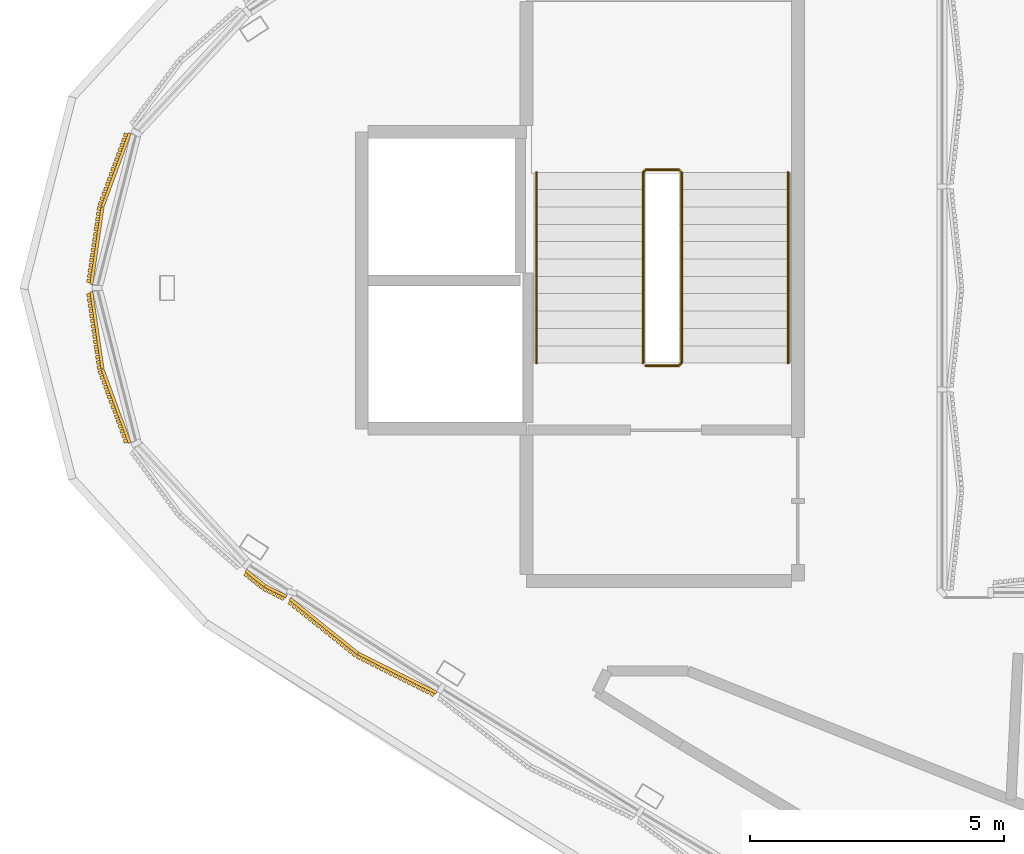
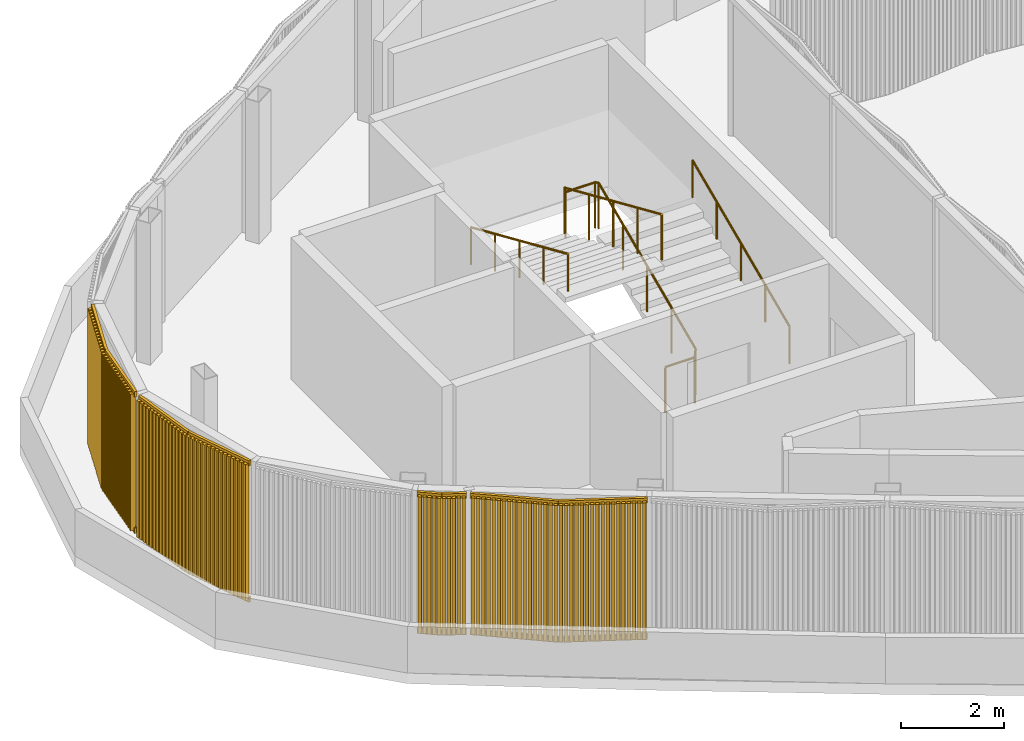
# One storey, part 10 of 16: 4 coverings, 3 railings.
"""IFC4 building model written with IfcOpenShell, lengths in metres."""

from ifc_helpers import new_model, si_unit, direction, frame, frame_2d, origin, origin_2d, place, context, subcontext, project, spatial, rectangle, circle, extrude, source, transform, mapped, material, type_object, element, save


model = new_model("IFC4")

# Units and contexts
model_context = context("Model", 3, precision=1e-05, world=origin(), true_north=direction((0.0, 1.0)))
body_context = subcontext(model_context, "Body", "Model", "MODEL_VIEW")
ifc_project = project(units=[si_unit("LENGTHUNIT", "METRE"), si_unit("AREAUNIT", "SQUARE_METRE"), si_unit("VOLUMEUNIT", "CUBIC_METRE"), si_unit("PLANEANGLEUNIT", "RADIAN"), si_unit("MASSUNIT", "GRAM", prefix="KILO")], contexts=[model_context])

# Site, building, storey
site_placement = place(None, origin())
site = spatial("IfcSite", under=ifc_project, at=site_placement, CompositionType="ELEMENT")
building_placement = place(site_placement, origin())
building = spatial("IfcBuilding", under=site, at=building_placement, Name="Tamra Quay Hotel Tower", CompositionType="ELEMENT")
storey_placement = place(building_placement, frame((0.0, 0.0, 320.60009765625)))
storey = spatial("IfcBuildingStorey", under=building, at=storey_placement, Name="Roof crown 1", CompositionType="ELEMENT", Elevation=320.60009765625)

# Railings
ifc_material_1 = material(Name="Stair guard 1100")
railing_type_1 = type_object("IfcRailingType", Name="Stair guard 1100", PredefinedType="GUARDRAIL", material=ifc_material_1)
railing_1_placement = place(storey_placement, frame((-13.84130859375, -1.530029296875, 0.0)))
element("IfcRailing", 1, at=railing_1_placement, inside=storey, type_object=railing_type_1, Name="GR", PredefinedType="GUARDRAIL", context=body_context, shape_type="SweptSolid", body=[
    extrude(circle(Radius=0.02392578125, at=origin_2d()), frame((0.0, 0.0, 1.076171875), z_axis=(1.0, 0.0, 0.0), x_axis=(0.0, 1.0, 0.0)), (0.0, 0.0, 1.0), 0.658935546875),
    extrude(circle(Radius=0.02392578125, at=origin_2d()), frame((0.658935546875, 0.0, 1.076171875), z_axis=(0.301912943143, 0.301912943143, 0.904266083366), x_axis=(-0.707106781187, 0.707106781187, 0.0)), (0.0, 0.0, 1.0), 0.165771484375),
    extrude(circle(Radius=0.02392578125, at=origin_2d()), frame((0.708984375, 0.050048828125, 1.22607421875), z_axis=(0.0, 0.915795495799, 0.401644880304), x_axis=(-1.0, 0.0, 0.0)), (0.0, 0.0, 1.0), 4.10791015625),
    extrude(circle(Radius=0.02392578125, at=origin_2d()), frame((0.708984375, 3.81201171875, 2.8759765625), z_axis=(-0.708833529934, 0.705375805398, 0.0), x_axis=(-0.705375805398, -0.708833529934, 0.0)), (0.0, 0.0, 1.0), 0.070556640625),
    extrude(circle(Radius=0.02392578125, at=origin_2d()), frame((0.658935546875, 3.86181640625, 2.8759765625), z_axis=(-1.0, 0.0, 0.0), x_axis=(0.0, -1.0, 0.0)), (0.0, 0.0, 1.0), 0.658935546875),
    extrude(circle(Radius=0.02392578125, at=origin_2d()), frame((0.0, 3.86181640625, 2.8759765625), z_axis=(-0.301644814947, -0.300173376825, 0.904934444842), x_axis=(0.705375805398, -0.708833529934, 0.0)), (0.0, 0.0, 1.0), 0.166015625),
    extrude(circle(Radius=0.02392578125, at=origin_2d()), frame((-0.050048828125, 3.81201171875, 3.02587890625), z_axis=(0.0, -0.915795495799, 0.401644880304), x_axis=(1.0, 0.0, 0.0)), (0.0, 0.0, 1.0), 4.10791015625),
    extrude(circle(Radius=0.02099609375, at=origin_2d()), origin(), (0.0, 0.0, 1.0), 1.052001953125),
    extrude(circle(Radius=0.02099609375, at=origin_2d()), frame((0.658935546875, 0.0, 0.0)), (0.0, 0.0, 1.0), 1.052001953125),
    extrude(circle(Radius=0.02099609375, at=origin_2d()), frame((0.708984375, 0.050048828125, 0.14990234375)), (0.0, 0.0, 1.0), 1.052001953125),
    extrude(circle(Radius=0.02099609375, at=origin_2d()), frame((0.708984375, 0.990478515625, 0.5625)), (0.0, 0.0, 1.0), 1.052001953125),
    extrude(circle(Radius=0.02099609375, at=origin_2d()), frame((0.708984375, 1.93115234375, 0.974853515625)), (0.0, 0.0, 1.0), 1.052001953125),
    extrude(circle(Radius=0.02099609375, at=origin_2d()), frame((0.708984375, 2.87158203125, 1.38720703125)), (0.0, 0.0, 1.0), 1.052001953125),
    extrude(circle(Radius=0.02099609375, at=origin_2d()), frame((0.708984375, 3.81201171875, 1.7998046875)), (0.0, 0.0, 1.0), 1.052001953125),
    extrude(circle(Radius=0.02099609375, at=origin_2d()), frame((0.658935546875, 3.86181640625, 1.7998046875)), (0.0, 0.0, 1.0), 1.052001953125),
    extrude(circle(Radius=0.02099609375, at=origin_2d()), frame((0.0, 3.86181640625, 1.7998046875)), (0.0, 0.0, 1.0), 1.052001953125),
    extrude(circle(Radius=0.02099609375, at=origin_2d()), frame((-0.050048828125, 3.81201171875, 1.949951171875)), (0.0, 0.0, 1.0), 1.052001953125),
    extrude(circle(Radius=0.02099609375, at=origin_2d()), frame((-0.050048828125, 2.87158203125, 2.3623046875)), (0.0, 0.0, 1.0), 1.052001953125),
    extrude(circle(Radius=0.02099609375, at=origin_2d()), frame((-0.050048828125, 1.93115234375, 2.77490234375)), (0.0, 0.0, 1.0), 1.052001953125),
    extrude(circle(Radius=0.02099609375, at=origin_2d()), frame((-0.050048828125, 0.990478515625, 3.1875)), (0.0, 0.0, 1.0), 1.052001953125),
    extrude(circle(Radius=0.02099609375, at=origin_2d()), frame((-0.050048828125, 0.050048828125, 3.599853515625)), (0.0, 0.0, 1.0), 1.052001953125),
])
ifc_material_2 = material(Name="Stair handrail 900")
railing_type_2 = type_object("IfcRailingType", Name="Stair handrail 900", PredefinedType="HANDRAIL", material=ifc_material_2)
railing_2_placement = place(storey_placement, frame((-11.0322265625, -1.47998046875, 0.14990234375)))
element("IfcRailing", 2, at=railing_2_placement, inside=storey, type_object=railing_type_2, Name="HR", PredefinedType="HANDRAIL", context=body_context, shape_type="SweptSolid", body=[
    extrude(circle(Radius=0.02392578125, at=origin_2d()), frame((0.0, 0.0, 0.8759765625), z_axis=(0.0, 0.915795495799, 0.401644880304), x_axis=(-1.0, 0.0, 0.0)), (0.0, 0.0, 1.0), 4.10791015625),
    extrude(circle(Radius=0.02099609375, at=origin_2d()), origin(), (0.0, 0.0, 1.0), 0.851806640625),
    extrude(circle(Radius=0.02099609375, at=origin_2d()), frame((0.0, 0.9404296875, 0.41259765625)), (0.0, 0.0, 1.0), 0.851806640625),
    extrude(circle(Radius=0.02099609375, at=origin_2d()), frame((0.0, 1.880859375, 0.824951171875)), (0.0, 0.0, 1.0), 0.851806640625),
    extrude(circle(Radius=0.02099609375, at=origin_2d()), frame((0.0, 2.821533203125, 1.2373046875)), (0.0, 0.0, 1.0), 0.851806640625),
    extrude(circle(Radius=0.02099609375, at=origin_2d()), frame((0.0, 3.761962890625, 1.64990234375)), (0.0, 0.0, 1.0), 0.851806640625),
])
railing_3_placement = place(storey_placement, frame((-15.9912109375, 2.281982421875, 1.949951171875)))
element("IfcRailing", 3, at=railing_3_placement, inside=storey, type_object=railing_type_2, Name="HR", PredefinedType="HANDRAIL", context=body_context, shape_type="SweptSolid", body=[
    extrude(circle(Radius=0.02392578125, at=origin_2d()), frame((0.0, 0.0, 0.8759765625), z_axis=(0.0, -0.915795495799, 0.401644880304), x_axis=(1.0, 0.0, 0.0)), (0.0, 0.0, 1.0), 4.10791015625),
    extrude(circle(Radius=0.02099609375, at=origin_2d()), origin(), (0.0, 0.0, 1.0), 0.851806640625),
    extrude(circle(Radius=0.02099609375, at=origin_2d()), frame((0.0, -0.9404296875, 0.41259765625)), (0.0, 0.0, 1.0), 0.851806640625),
    extrude(circle(Radius=0.02099609375, at=origin_2d()), frame((0.0, -1.880859375, 0.824951171875)), (0.0, 0.0, 1.0), 0.851806640625),
    extrude(circle(Radius=0.02099609375, at=origin_2d()), frame((0.0, -2.821533203125, 1.2373046875)), (0.0, 0.0, 1.0), 0.851806640625),
    extrude(circle(Radius=0.02099609375, at=origin_2d()), frame((0.0, -3.761962890625, 1.64990234375)), (0.0, 0.0, 1.0), 0.851806640625),
])

# Coverings
ifc_material_3 = material(Name="Terracotta baguette extruded", Category="masonry")
covering_type = type_object("IfcCoveringType", Name="BAGUETTE SCREEN CROWN H3350", PredefinedType="USERDEFINED", material=ifc_material_3)
shared_shape_1 = source(origin(), body_context, "Body", "SweptSolid", [
    extrude(rectangle(XDim=1.541015625, YDim=0.06005859375, at=frame_2d((0.7705078125, 0.030029296875))), frame((-1.538818359375, -0.0576171875, -0.1201171875), z_axis=(0.0, 0.0, 1.0), x_axis=(0.994521895368, -0.104528463268, 0.0)), (0.0, 0.0, 1.0), 0.1201171875),
    extrude(rectangle(XDim=1.541015625, YDim=0.06005859375, at=frame_2d((0.7705078125, 0.030029296875))), frame((-1.538818359375, -0.0576171875, -3.35009765625), z_axis=(0.0, 0.0, 1.0), x_axis=(0.994521895368, -0.104528463268, 0.0)), (0.0, 0.0, 1.0), 0.1201171875),
    extrude(rectangle(XDim=0.070068359375, YDim=0.10009765625, at=frame_2d((0.03515625, 0.050048828125))), frame((-1.516357421875, -0.13330078125, -3.2900390625)), (0.0, 0.0, 1.0), 3.22998046875),
    extrude(rectangle(XDim=0.070068359375, YDim=0.10009765625, at=frame_2d((0.03515625, 0.050048828125))), frame((-1.414306640625, -0.14404296875, -3.2900390625)), (0.0, 0.0, 1.0), 3.22998046875),
    extrude(rectangle(XDim=0.070068359375, YDim=0.10009765625, at=frame_2d((0.03515625, 0.050048828125))), frame((-1.31201171875, -0.15478515625, -3.2900390625)), (0.0, 0.0, 1.0), 3.22998046875),
    extrude(rectangle(XDim=0.070068359375, YDim=0.10009765625, at=frame_2d((0.03515625, 0.050048828125))), frame((-1.2099609375, -0.16552734375, -3.2900390625)), (0.0, 0.0, 1.0), 3.22998046875),
    extrude(rectangle(XDim=0.070068359375, YDim=0.10009765625, at=frame_2d((0.03515625, 0.050048828125))), frame((-1.107666015625, -0.17626953125, -3.2900390625)), (0.0, 0.0, 1.0), 3.22998046875),
    extrude(rectangle(XDim=0.070068359375, YDim=0.10009765625, at=frame_2d((0.03515625, 0.050048828125))), frame((-1.005615234375, -0.18701171875, -3.2900390625)), (0.0, 0.0, 1.0), 3.22998046875),
    extrude(rectangle(XDim=0.070068359375, YDim=0.10009765625, at=frame_2d((0.03515625, 0.050048828125))), frame((-0.9033203125, -0.19775390625, -3.2900390625)), (0.0, 0.0, 1.0), 3.22998046875),
    extrude(rectangle(XDim=0.070068359375, YDim=0.10009765625, at=frame_2d((0.03515625, 0.050048828125))), frame((-0.80126953125, -0.20849609375, -3.2900390625)), (0.0, 0.0, 1.0), 3.22998046875),
    extrude(rectangle(XDim=0.070068359375, YDim=0.10009765625, at=frame_2d((0.03515625, 0.050048828125))), frame((-0.698974609375, -0.21923828125, -3.2900390625)), (0.0, 0.0, 1.0), 3.22998046875),
    extrude(rectangle(XDim=0.070068359375, YDim=0.10009765625, at=frame_2d((0.03515625, 0.050048828125))), frame((-0.596923828125, -0.22998046875, -3.2900390625)), (0.0, 0.0, 1.0), 3.22998046875),
    extrude(rectangle(XDim=0.070068359375, YDim=0.10009765625, at=frame_2d((0.03515625, 0.050048828125))), frame((-0.49462890625, -0.24072265625, -3.2900390625)), (0.0, 0.0, 1.0), 3.22998046875),
    extrude(rectangle(XDim=0.070068359375, YDim=0.10009765625, at=frame_2d((0.03515625, 0.050048828125))), frame((-0.392578125, -0.25146484375, -3.2900390625)), (0.0, 0.0, 1.0), 3.22998046875),
    extrude(rectangle(XDim=0.070068359375, YDim=0.10009765625, at=frame_2d((0.03515625, 0.050048828125))), frame((-0.29052734375, -0.26220703125, -3.2900390625)), (0.0, 0.0, 1.0), 3.22998046875),
    extrude(rectangle(XDim=0.070068359375, YDim=0.10009765625, at=frame_2d((0.03515625, 0.050048828125))), frame((-0.188232421875, -0.27294921875, -3.2900390625)), (0.0, 0.0, 1.0), 3.22998046875),
    extrude(rectangle(XDim=0.070068359375, YDim=0.10009765625, at=frame_2d((0.03515625, 0.050048828125))), frame((-0.086181640625, -0.28369140625, -3.2900390625)), (0.0, 0.0, 1.0), 3.22998046875),
    extrude(rectangle(XDim=1.541015625, YDim=0.06005859375, at=frame_2d((0.7705078125, 0.030029296875))), frame((0.00634765625, -0.21875, -0.1201171875), z_axis=(0.0, 0.0, 1.0), x_axis=(0.994521895368, 0.104528463268, 0.0)), (0.0, 0.0, 1.0), 0.1201171875),
    extrude(rectangle(XDim=1.541015625, YDim=0.06005859375, at=frame_2d((0.7705078125, 0.030029296875))), frame((0.00634765625, -0.21875, -3.35009765625), z_axis=(0.0, 0.0, 1.0), x_axis=(0.994521895368, 0.104528463268, 0.0)), (0.0, 0.0, 1.0), 0.1201171875),
    extrude(rectangle(XDim=0.070068359375, YDim=0.10009765625, at=frame_2d((0.03515625, 0.050048828125))), frame((0.01611328125, -0.28369140625, -3.2900390625)), (0.0, 0.0, 1.0), 3.22998046875),
    extrude(rectangle(XDim=0.070068359375, YDim=0.10009765625, at=frame_2d((0.03515625, 0.050048828125))), frame((0.1181640625, -0.27294921875, -3.2900390625)), (0.0, 0.0, 1.0), 3.22998046875),
    extrude(rectangle(XDim=0.070068359375, YDim=0.10009765625, at=frame_2d((0.03515625, 0.050048828125))), frame((0.220458984375, -0.26220703125, -3.2900390625)), (0.0, 0.0, 1.0), 3.22998046875),
    extrude(rectangle(XDim=0.070068359375, YDim=0.10009765625, at=frame_2d((0.03515625, 0.050048828125))), frame((0.322509765625, -0.25146484375, -3.2900390625)), (0.0, 0.0, 1.0), 3.22998046875),
    extrude(rectangle(XDim=0.070068359375, YDim=0.10009765625, at=frame_2d((0.03515625, 0.050048828125))), frame((0.4248046875, -0.24072265625, -3.2900390625)), (0.0, 0.0, 1.0), 3.22998046875),
    extrude(rectangle(XDim=0.070068359375, YDim=0.10009765625, at=frame_2d((0.03515625, 0.050048828125))), frame((0.52685546875, -0.22998046875, -3.2900390625)), (0.0, 0.0, 1.0), 3.22998046875),
    extrude(rectangle(XDim=0.070068359375, YDim=0.10009765625, at=frame_2d((0.03515625, 0.050048828125))), frame((0.629150390625, -0.21923828125, -3.2900390625)), (0.0, 0.0, 1.0), 3.22998046875),
    extrude(rectangle(XDim=0.070068359375, YDim=0.10009765625, at=frame_2d((0.03515625, 0.050048828125))), frame((0.731201171875, -0.20849609375, -3.2900390625)), (0.0, 0.0, 1.0), 3.22998046875),
    extrude(rectangle(XDim=0.070068359375, YDim=0.10009765625, at=frame_2d((0.03515625, 0.050048828125))), frame((0.83349609375, -0.19775390625, -3.2900390625)), (0.0, 0.0, 1.0), 3.22998046875),
    extrude(rectangle(XDim=0.070068359375, YDim=0.10009765625, at=frame_2d((0.03515625, 0.050048828125))), frame((0.935546875, -0.18701171875, -3.2900390625)), (0.0, 0.0, 1.0), 3.22998046875),
    extrude(rectangle(XDim=0.070068359375, YDim=0.10009765625, at=frame_2d((0.03515625, 0.050048828125))), frame((1.037841796875, -0.17626953125, -3.2900390625)), (0.0, 0.0, 1.0), 3.22998046875),
    extrude(rectangle(XDim=0.070068359375, YDim=0.10009765625, at=frame_2d((0.03515625, 0.050048828125))), frame((1.139892578125, -0.16552734375, -3.2900390625)), (0.0, 0.0, 1.0), 3.22998046875),
    extrude(rectangle(XDim=0.070068359375, YDim=0.10009765625, at=frame_2d((0.03515625, 0.050048828125))), frame((1.2421875, -0.15478515625, -3.2900390625)), (0.0, 0.0, 1.0), 3.22998046875),
    extrude(rectangle(XDim=0.070068359375, YDim=0.10009765625, at=frame_2d((0.03515625, 0.050048828125))), frame((1.34423828125, -0.14404296875, -3.2900390625)), (0.0, 0.0, 1.0), 3.22998046875),
    extrude(rectangle(XDim=0.070068359375, YDim=0.10009765625, at=frame_2d((0.03515625, 0.050048828125))), frame((1.446533203125, -0.13330078125, -3.2900390625)), (0.0, 0.0, 1.0), 3.22998046875),
])
for number, where, z_axis, x_axis, name in (
    (4, (-24.36181640625, 1.5546875, 3.349853515625), (0.0, 0.0, 1.0), (-0.245526933255, -0.969389769415, 0.0), "Baguette screen Roof crown 1.C.f12"),
    (5, (-24.36181640625, -1.5546875, 3.349853515625), (0.0, 0.0, 1.0), (0.245526933255, -0.969389769415, 0.0), "Baguette screen Roof crown 1.C.f13"),
):
    element("IfcCovering", number, at=place(storey_placement, frame(where, z_axis=z_axis, x_axis=x_axis)), inside=storey, type_object=covering_type, Name=name, ObjectType="BAGUETTE SCREEN", PredefinedType="USERDEFINED", context=body_context, shape_type="MappedRepresentation", body=[
        mapped(shared_shape_1, transform((0.0, 0.0, 0.0), scale=1.0)),
    ])
shared_shape_2 = source(origin(), body_context, "Body", "SweptSolid", [
    extrude(rectangle(XDim=1.721923828125, YDim=0.06005859375, at=frame_2d((0.86083984375, 0.030029296875))), frame((-1.71875, -0.0576171875, -0.1201171875), z_axis=(0.0, 0.0, 1.0), x_axis=(0.994521895368, -0.104528463268, 0.0)), (0.0, 0.0, 1.0), 0.1201171875),
    extrude(rectangle(XDim=1.721923828125, YDim=0.06005859375, at=frame_2d((0.86083984375, 0.030029296875))), frame((-1.71875, -0.0576171875, -3.35009765625), z_axis=(0.0, 0.0, 1.0), x_axis=(0.994521895368, -0.104528463268, 0.0)), (0.0, 0.0, 1.0), 0.1201171875),
    extrude(rectangle(XDim=0.070068359375, YDim=0.10009765625, at=frame_2d((0.03515625, 0.050048828125))), frame((-1.697021484375, -0.13330078125, -3.2900390625)), (0.0, 0.0, 1.0), 3.22998046875),
    extrude(rectangle(XDim=0.070068359375, YDim=0.10009765625, at=frame_2d((0.03515625, 0.050048828125))), frame((-1.596435546875, -0.143798828125, -3.2900390625)), (0.0, 0.0, 1.0), 3.22998046875),
    extrude(rectangle(XDim=0.070068359375, YDim=0.10009765625, at=frame_2d((0.03515625, 0.050048828125))), frame((-1.49560546875, -0.154541015625, -3.2900390625)), (0.0, 0.0, 1.0), 3.22998046875),
    extrude(rectangle(XDim=0.070068359375, YDim=0.10009765625, at=frame_2d((0.03515625, 0.050048828125))), frame((-1.39501953125, -0.1650390625, -3.2900390625)), (0.0, 0.0, 1.0), 3.22998046875),
    extrude(rectangle(XDim=0.070068359375, YDim=0.10009765625, at=frame_2d((0.03515625, 0.050048828125))), frame((-1.294189453125, -0.175537109375, -3.2900390625)), (0.0, 0.0, 1.0), 3.22998046875),
    extrude(rectangle(XDim=0.070068359375, YDim=0.10009765625, at=frame_2d((0.03515625, 0.050048828125))), frame((-1.193359375, -0.186279296875, -3.2900390625)), (0.0, 0.0, 1.0), 3.22998046875),
    extrude(rectangle(XDim=0.070068359375, YDim=0.10009765625, at=frame_2d((0.03515625, 0.050048828125))), frame((-1.0927734375, -0.19677734375, -3.2900390625)), (0.0, 0.0, 1.0), 3.22998046875),
    extrude(rectangle(XDim=0.070068359375, YDim=0.10009765625, at=frame_2d((0.03515625, 0.050048828125))), frame((-0.991943359375, -0.20751953125, -3.2900390625)), (0.0, 0.0, 1.0), 3.22998046875),
    extrude(rectangle(XDim=0.070068359375, YDim=0.10009765625, at=frame_2d((0.03515625, 0.050048828125))), frame((-0.891357421875, -0.218017578125, -3.2900390625)), (0.0, 0.0, 1.0), 3.22998046875),
    extrude(rectangle(XDim=0.070068359375, YDim=0.10009765625, at=frame_2d((0.03515625, 0.050048828125))), frame((-0.79052734375, -0.228515625, -3.2900390625)), (0.0, 0.0, 1.0), 3.22998046875),
    extrude(rectangle(XDim=0.070068359375, YDim=0.10009765625, at=frame_2d((0.03515625, 0.050048828125))), frame((-0.689697265625, -0.2392578125, -3.2900390625)), (0.0, 0.0, 1.0), 3.22998046875),
    extrude(rectangle(XDim=0.070068359375, YDim=0.10009765625, at=frame_2d((0.03515625, 0.050048828125))), frame((-0.589111328125, -0.249755859375, -3.2900390625)), (0.0, 0.0, 1.0), 3.22998046875),
    extrude(rectangle(XDim=0.070068359375, YDim=0.10009765625, at=frame_2d((0.03515625, 0.050048828125))), frame((-0.48828125, -0.26025390625, -3.2900390625)), (0.0, 0.0, 1.0), 3.22998046875),
    extrude(rectangle(XDim=0.070068359375, YDim=0.10009765625, at=frame_2d((0.03515625, 0.050048828125))), frame((-0.387451171875, -0.27099609375, -3.2900390625)), (0.0, 0.0, 1.0), 3.22998046875),
    extrude(rectangle(XDim=0.070068359375, YDim=0.10009765625, at=frame_2d((0.03515625, 0.050048828125))), frame((-0.286865234375, -0.281494140625, -3.2900390625)), (0.0, 0.0, 1.0), 3.22998046875),
    extrude(rectangle(XDim=0.070068359375, YDim=0.10009765625, at=frame_2d((0.03515625, 0.050048828125))), frame((-0.18603515625, -0.2919921875, -3.2900390625)), (0.0, 0.0, 1.0), 3.22998046875),
    extrude(rectangle(XDim=0.070068359375, YDim=0.10009765625, at=frame_2d((0.03515625, 0.050048828125))), frame((-0.08544921875, -0.302734375, -3.2900390625)), (0.0, 0.0, 1.0), 3.22998046875),
    extrude(rectangle(XDim=1.721923828125, YDim=0.06005859375, at=frame_2d((0.86083984375, 0.030029296875))), frame((0.00634765625, -0.237548828125, -0.1201171875), z_axis=(0.0, 0.0, 1.0), x_axis=(0.994521895368, 0.104528463268, 0.0)), (0.0, 0.0, 1.0), 0.1201171875),
    extrude(rectangle(XDim=1.721923828125, YDim=0.06005859375, at=frame_2d((0.86083984375, 0.030029296875))), frame((0.00634765625, -0.237548828125, -3.35009765625), z_axis=(0.0, 0.0, 1.0), x_axis=(0.994521895368, 0.104528463268, 0.0)), (0.0, 0.0, 1.0), 0.1201171875),
    extrude(rectangle(XDim=0.070068359375, YDim=0.10009765625, at=frame_2d((0.03515625, 0.050048828125))), frame((0.015380859375, -0.302734375, -3.2900390625)), (0.0, 0.0, 1.0), 3.22998046875),
    extrude(rectangle(XDim=0.070068359375, YDim=0.10009765625, at=frame_2d((0.03515625, 0.050048828125))), frame((0.1162109375, -0.2919921875, -3.2900390625)), (0.0, 0.0, 1.0), 3.22998046875),
    extrude(rectangle(XDim=0.070068359375, YDim=0.10009765625, at=frame_2d((0.03515625, 0.050048828125))), frame((0.216796875, -0.281494140625, -3.2900390625)), (0.0, 0.0, 1.0), 3.22998046875),
    extrude(rectangle(XDim=0.070068359375, YDim=0.10009765625, at=frame_2d((0.03515625, 0.050048828125))), frame((0.317626953125, -0.27099609375, -3.2900390625)), (0.0, 0.0, 1.0), 3.22998046875),
    extrude(rectangle(XDim=0.070068359375, YDim=0.10009765625, at=frame_2d((0.03515625, 0.050048828125))), frame((0.418212890625, -0.26025390625, -3.2900390625)), (0.0, 0.0, 1.0), 3.22998046875),
    extrude(rectangle(XDim=0.070068359375, YDim=0.10009765625, at=frame_2d((0.03515625, 0.050048828125))), frame((0.51904296875, -0.249755859375, -3.2900390625)), (0.0, 0.0, 1.0), 3.22998046875),
    extrude(rectangle(XDim=0.070068359375, YDim=0.10009765625, at=frame_2d((0.03515625, 0.050048828125))), frame((0.619873046875, -0.2392578125, -3.2900390625)), (0.0, 0.0, 1.0), 3.22998046875),
    extrude(rectangle(XDim=0.070068359375, YDim=0.10009765625, at=frame_2d((0.03515625, 0.050048828125))), frame((0.720458984375, -0.228515625, -3.2900390625)), (0.0, 0.0, 1.0), 3.22998046875),
    extrude(rectangle(XDim=0.070068359375, YDim=0.10009765625, at=frame_2d((0.03515625, 0.050048828125))), frame((0.8212890625, -0.218017578125, -3.2900390625)), (0.0, 0.0, 1.0), 3.22998046875),
    extrude(rectangle(XDim=0.070068359375, YDim=0.10009765625, at=frame_2d((0.03515625, 0.050048828125))), frame((0.921875, -0.20751953125, -3.2900390625)), (0.0, 0.0, 1.0), 3.22998046875),
    extrude(rectangle(XDim=0.070068359375, YDim=0.10009765625, at=frame_2d((0.03515625, 0.050048828125))), frame((1.022705078125, -0.19677734375, -3.2900390625)), (0.0, 0.0, 1.0), 3.22998046875),
    extrude(rectangle(XDim=0.070068359375, YDim=0.10009765625, at=frame_2d((0.03515625, 0.050048828125))), frame((1.12353515625, -0.186279296875, -3.2900390625)), (0.0, 0.0, 1.0), 3.22998046875),
    extrude(rectangle(XDim=0.070068359375, YDim=0.10009765625, at=frame_2d((0.03515625, 0.050048828125))), frame((1.22412109375, -0.175537109375, -3.2900390625)), (0.0, 0.0, 1.0), 3.22998046875),
    extrude(rectangle(XDim=0.070068359375, YDim=0.10009765625, at=frame_2d((0.03515625, 0.050048828125))), frame((1.324951171875, -0.1650390625, -3.2900390625)), (0.0, 0.0, 1.0), 3.22998046875),
    extrude(rectangle(XDim=0.070068359375, YDim=0.10009765625, at=frame_2d((0.03515625, 0.050048828125))), frame((1.42578125, -0.154541015625, -3.2900390625)), (0.0, 0.0, 1.0), 3.22998046875),
    extrude(rectangle(XDim=0.070068359375, YDim=0.10009765625, at=frame_2d((0.03515625, 0.050048828125))), frame((1.5263671875, -0.143798828125, -3.2900390625)), (0.0, 0.0, 1.0), 3.22998046875),
    extrude(rectangle(XDim=0.070068359375, YDim=0.10009765625, at=frame_2d((0.03515625, 0.050048828125))), frame((1.627197265625, -0.13330078125, -3.2900390625)), (0.0, 0.0, 1.0), 3.22998046875),
])
covering_1_placement = place(storey_placement, frame((-19.394775390625, -7.028076171875, 3.349853515625), z_axis=(0.0, 0.0, 1.0), x_axis=(0.841664964506, -0.54000008104, 0.0)))
element("IfcCovering", 6, at=covering_1_placement, inside=storey, type_object=covering_type, Name="Baguette screen Roof crown 1.B.f08", ObjectType="BAGUETTE SCREEN", PredefinedType="USERDEFINED", context=body_context, shape_type="MappedRepresentation", body=[
    mapped(shared_shape_2, transform((0.0, 0.0, 0.0), scale=1.0)),
])
shared_shape_3 = source(origin(), body_context, "Body", "SweptSolid", [
    extrude(rectangle(XDim=0.47509765625, YDim=0.06005859375, at=frame_2d((0.237548828125, 0.030029296875))), frame((-0.478759765625, -0.0576171875, -0.1201171875), z_axis=(0.0, 0.0, 1.0), x_axis=(0.994521895368, -0.104528463268, 0.0)), (0.0, 0.0, 1.0), 0.1201171875),
    extrude(rectangle(XDim=0.47509765625, YDim=0.06005859375, at=frame_2d((0.237548828125, 0.030029296875))), frame((-0.478759765625, -0.0576171875, -3.35009765625), z_axis=(0.0, 0.0, 1.0), x_axis=(0.994521895368, -0.104528463268, 0.0)), (0.0, 0.0, 1.0), 0.1201171875),
    extrude(rectangle(XDim=0.070068359375, YDim=0.10009765625, at=frame_2d((0.03515625, 0.050048828125))), frame((-0.460205078125, -0.133056640625, -3.2900390625)), (0.0, 0.0, 1.0), 3.22998046875),
    extrude(rectangle(XDim=0.070068359375, YDim=0.10009765625, at=frame_2d((0.03515625, 0.050048828125))), frame((-0.36572265625, -0.142822265625, -3.2900390625)), (0.0, 0.0, 1.0), 3.22998046875),
    extrude(rectangle(XDim=0.070068359375, YDim=0.10009765625, at=frame_2d((0.03515625, 0.050048828125))), frame((-0.271240234375, -0.15283203125, -3.2900390625)), (0.0, 0.0, 1.0), 3.22998046875),
    extrude(rectangle(XDim=0.070068359375, YDim=0.10009765625, at=frame_2d((0.03515625, 0.050048828125))), frame((-0.1767578125, -0.162841796875, -3.2900390625)), (0.0, 0.0, 1.0), 3.22998046875),
    extrude(rectangle(XDim=0.070068359375, YDim=0.10009765625, at=frame_2d((0.03515625, 0.050048828125))), frame((-0.082275390625, -0.172607421875, -3.2900390625)), (0.0, 0.0, 1.0), 3.22998046875),
    extrude(rectangle(XDim=0.47509765625, YDim=0.06005859375, at=frame_2d((0.237548828125, 0.030029296875))), frame((0.00634765625, -0.107421875, -0.1201171875), z_axis=(0.0, 0.0, 1.0), x_axis=(0.994521895368, 0.104528463268, 0.0)), (0.0, 0.0, 1.0), 0.1201171875),
    extrude(rectangle(XDim=0.47509765625, YDim=0.06005859375, at=frame_2d((0.237548828125, 0.030029296875))), frame((0.00634765625, -0.107421875, -3.35009765625), z_axis=(0.0, 0.0, 1.0), x_axis=(0.994521895368, 0.104528463268, 0.0)), (0.0, 0.0, 1.0), 0.1201171875),
    extrude(rectangle(XDim=0.070068359375, YDim=0.10009765625, at=frame_2d((0.03515625, 0.050048828125))), frame((0.01220703125, -0.172607421875, -3.2900390625)), (0.0, 0.0, 1.0), 3.22998046875),
    extrude(rectangle(XDim=0.070068359375, YDim=0.10009765625, at=frame_2d((0.03515625, 0.050048828125))), frame((0.106689453125, -0.162841796875, -3.2900390625)), (0.0, 0.0, 1.0), 3.22998046875),
    extrude(rectangle(XDim=0.070068359375, YDim=0.10009765625, at=frame_2d((0.03515625, 0.050048828125))), frame((0.201171875, -0.15283203125, -3.2900390625)), (0.0, 0.0, 1.0), 3.22998046875),
    extrude(rectangle(XDim=0.070068359375, YDim=0.10009765625, at=frame_2d((0.03515625, 0.050048828125))), frame((0.295654296875, -0.142822265625, -3.2900390625)), (0.0, 0.0, 1.0), 3.22998046875),
    extrude(rectangle(XDim=0.070068359375, YDim=0.10009765625, at=frame_2d((0.03515625, 0.050048828125))), frame((0.39013671875, -0.133056640625, -3.2900390625)), (0.0, 0.0, 1.0), 3.22998046875),
])
covering_2_placement = place(storey_placement, frame((-21.305419921875, -5.80224609375, 3.349853515625), z_axis=(0.0, 0.0, 1.0), x_axis=(0.841664964506, -0.54000008104, 0.0)))
element("IfcCovering", 7, at=covering_2_placement, inside=storey, type_object=covering_type, Name="Baguette screen Roof crown 1.C.f00", ObjectType="BAGUETTE SCREEN", PredefinedType="USERDEFINED", context=body_context, shape_type="MappedRepresentation", body=[
    mapped(shared_shape_3, transform((0.0, 0.0, 0.0), scale=1.0)),
])

save(model, "model.ifc")
